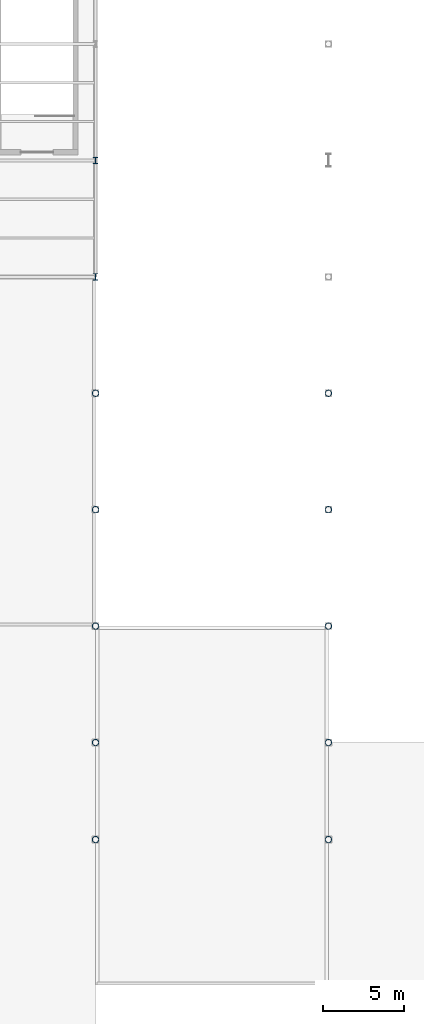
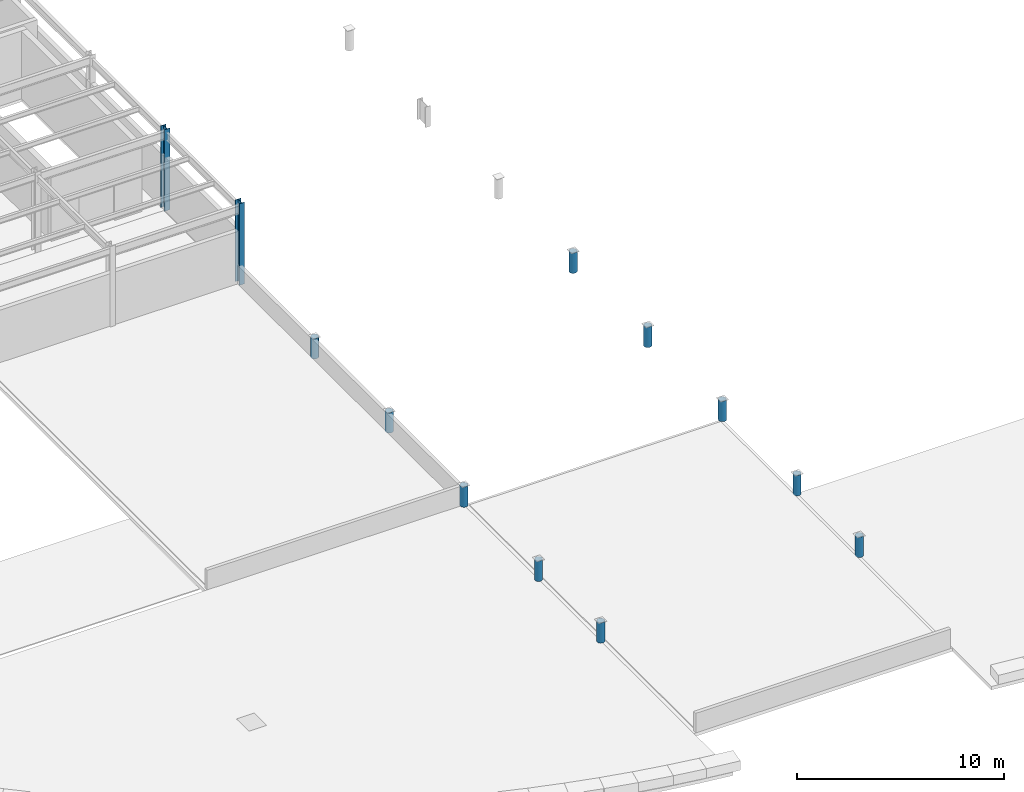
# One storey, part 3 of 41: 12 columns.
"""IFC4 building model written with IfcOpenShell, lengths in metres."""

from ifc_helpers import new_model, si_unit, direction, frame, origin, origin_2d, place, context, subcontext, project, spatial, hollow_circle, i_section, extrude, material, material_profile, profile_set, type_object, element, save


model = new_model("IFC4")

# Units and contexts
model_context = context("Model", 3, precision=1e-05, world=origin(), true_north=direction((0.0, 1.0)))
body_context = subcontext(model_context, "Body", "Model", "MODEL_VIEW")
ifc_project = project(units=[si_unit("LENGTHUNIT", "METRE"), si_unit("AREAUNIT", "SQUARE_METRE"), si_unit("VOLUMEUNIT", "CUBIC_METRE"), si_unit("PLANEANGLEUNIT", "RADIAN"), si_unit("MASSUNIT", "GRAM", prefix="KILO")], contexts=[model_context])

# Site, building, storey
site_placement = place(None, origin())
site = spatial("IfcSite", under=ifc_project, at=site_placement, CompositionType="ELEMENT")
building_placement = place(site_placement, origin())
building = spatial("IfcBuilding", under=site, at=building_placement, Name="Solvadek Multi-Sports Hall", CompositionType="ELEMENT")
storey_placement = place(building_placement, frame((0.0, 0.0, 14.39990234375)))
storey = spatial("IfcBuildingStorey", under=building, at=storey_placement, Name="L03", CompositionType="ELEMENT", Elevation=14.39990234375)

# Columns
ifc_material = material(Name="Steel E350 (350 MPa)", Category="steel")
ifc_material_profile_1 = material_profile(ifc_material, hollow_circle(Radius=0.203125, WallThickness=0.01611328125, at=origin_2d()), Name="CHS 406.4x16")
ifc_profile_set_1 = profile_set([ifc_material_profile_1], Name="Steel E350 (350 MPa)")
column_type_1 = type_object("IfcColumnType", Name="STR-COL-CHS406", PredefinedType="COLUMN", material=ifc_profile_set_1)
for number, where, z_axis, x_axis, name in (
    (1, (72.0, 0.0, 0.0), (0.0, 0.0, 1.0), (1.0, 0.0, 0.0), "L03 Column C-11 #144"),
    (2, (72.0, 6.0, 0.0), (0.0, 0.0, 1.0), (1.0, 0.0, 0.0), "L03 Column C-11 #145"),
    (3, (72.0, 13.199951171875, 0.0), (0.0, 0.0, 1.0), (1.0, 0.0, 0.0), "L03 Column C-11 #146"),
    (4, (72.0, 20.39990234375, 0.0), (0.0, 0.0, 1.0), (1.0, 0.0, 0.0), "L03 Column C-11 #147"),
    (5, (72.0, 27.60009765625, 0.0), (0.0, 0.0, 1.0), (1.0, 0.0, 0.0), "L03 Column C-11 #148"),
    (6, (86.39990234375, 0.0, 0.0), (0.0, 0.0, 1.0), (1.0, 0.0, 0.0), "L03 Column C-11 #174"),
    (7, (86.39990234375, 6.0, 0.0), (0.0, 0.0, 1.0), (1.0, 0.0, 0.0), "L03 Column C-11 #175"),
    (8, (86.39990234375, 13.199951171875, 0.0), (0.0, 0.0, 1.0), (1.0, 0.0, 0.0), "L03 Column C-11 #176"),
    (9, (86.39990234375, 20.39990234375, 0.0), (0.0, 0.0, 1.0), (1.0, 0.0, 0.0), "L03 Column C-11 #177"),
    (10, (86.39990234375, 27.60009765625, 0.0), (0.0, 0.0, 1.0), (1.0, 0.0, 0.0), "L03 Column C-11 #178"),
):
    element("IfcColumn", number, at=place(storey_placement, frame(where, z_axis=z_axis, x_axis=x_axis)), inside=storey, type_object=column_type_1, Name=name, PredefinedType="COLUMN", context=body_context, shape_type="SweptSolid", body=[
        extrude(hollow_circle(Radius=0.203125, WallThickness=0.01611328125, at=origin_2d()), origin(), (0.0, 0.0, 1.0), 1.2001953125),
    ])
ifc_material_profile_2 = material_profile(ifc_material, i_section(OverallWidth=0.300048828125, OverallDepth=0.39990234375, WebThickness=0.013427734375, FlangeThickness=0.02392578125, at=origin_2d()), Name="WPB 400")
ifc_profile_set_2 = profile_set([ifc_material_profile_2], Name="Steel E350 (350 MPa)")
column_type_2 = type_object("IfcColumnType", Name="STR-COL-WPB400", PredefinedType="COLUMN", material=ifc_profile_set_2)
for number, where, z_axis, x_axis, name in (
    (11, (72.0, 34.800048828125, 0.0), (0.0, 0.0, 1.0), (1.0, 0.0, 0.0), "L03 Column C-07 #149"),
    (12, (72.0, 42.0, 0.0), (0.0, 0.0, 1.0), (1.0, 0.0, 0.0), "L03 Column C-07 #150"),
):
    element("IfcColumn", number, at=place(storey_placement, frame(where, z_axis=z_axis, x_axis=x_axis)), inside=storey, type_object=column_type_2, Name=name, PredefinedType="COLUMN", context=body_context, shape_type="SweptSolid", body=[
        extrude(i_section(OverallWidth=0.300048828125, OverallDepth=0.39990234375, WebThickness=0.013427734375, FlangeThickness=0.02392578125, at=origin_2d()), origin(), (0.0, 0.0, 1.0), 4.800048828125),
    ])

save(model, "model.ifc")
